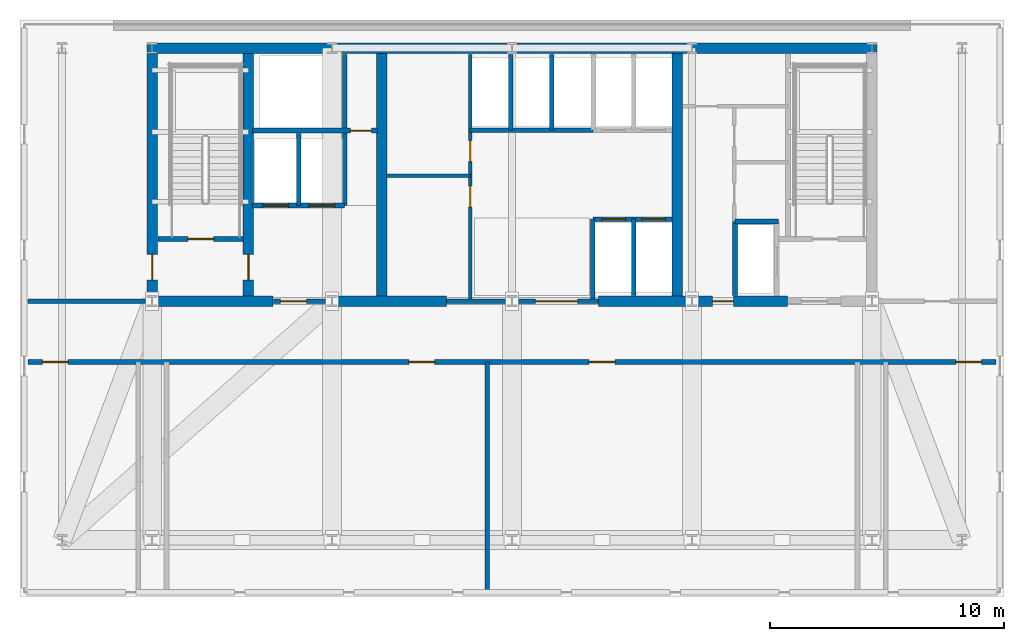
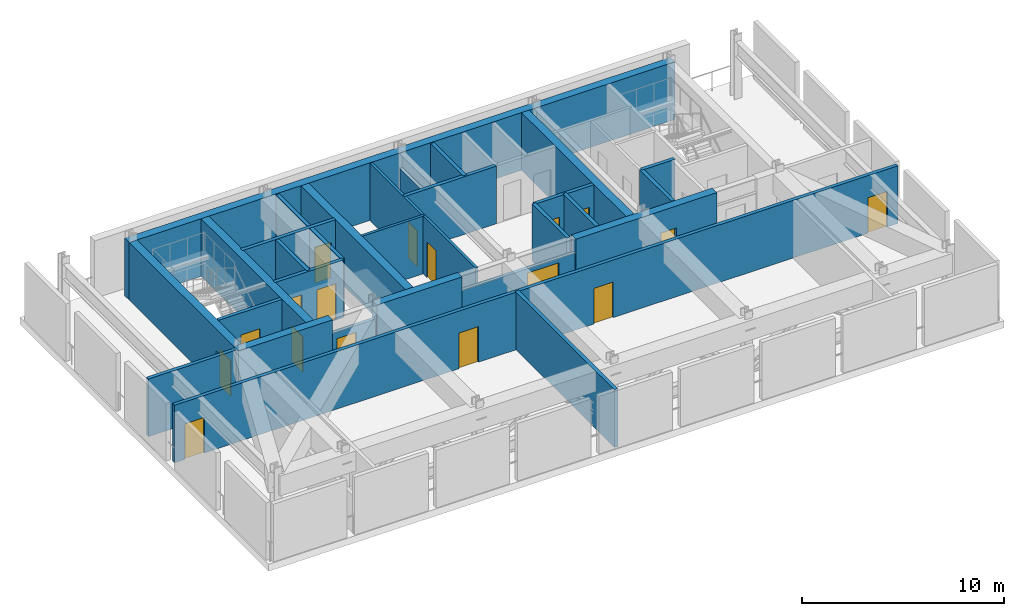
# One storey, part 2 of 7: 28 walls, 17 doors, 17 openings.
"""IFC4 building model written with IfcOpenShell, lengths in metres."""

import ifcopenshell
import ifcopenshell.guid

model = None  # the IFC model being written
_history = None  # IfcOwnerHistory: only IFC2X3 demands one
_inside = {}  # id of a spatial element -> (the spatial element, [elements in it])
_under = {}  # id of a project, library or spatial element -> (it, [spatial elements below it])
_declared = {}  # id of a project -> (the project, [libraries it declares])
_typed = {}  # id of a type object -> (the type object, [elements of that type])
_made_of = {}  # id of a material, layer set ... -> (it, [elements and type objects made of it])


def new_model(schema):
    """Start an empty IFC model of exactly this schema.

    Asked for "IFC4X3", IfcOpenShell would pick the latest addendum, in which some entities
    have other attributes; the version numbers below select the first issue.
    IFC2X3 requires an IfcOwnerHistory on every rooted entity: one is made here for all.
    """
    global model, _history
    if schema == "IFC4X3":
        model = ifcopenshell.file(schema_version=(4, 3, 0, 0))
    else:
        model = ifcopenshell.file(schema=schema)
    _inside.clear()
    _under.clear()
    _declared.clear()
    _typed.clear()
    _made_of.clear()
    _history = None
    if model.schema == "IFC2X3":
        org = make("IfcOrganization", Name="unknown")
        user = make(
            "IfcPersonAndOrganization",
            ThePerson=make("IfcPerson", FamilyName="unknown"),
            TheOrganization=org,
        )
        app = make(
            "IfcApplication",
            ApplicationDeveloper=org,
            Version="unknown",
            ApplicationFullName="unknown",
            ApplicationIdentifier="unknown",
        )
        _history = make(
            "IfcOwnerHistory",
            OwningUser=user,
            OwningApplication=app,
            ChangeAction="ADDED",
            CreationDate=0,
        )
    return model


def make(cls, **values):
    """One entity of the class cls with the attributes given. An attribute that is None is left unset."""
    return model.create_entity(
        cls, **{name: value for name, value in values.items() if value is not None}
    )


def rooted(cls, **values):
    """An entity with a GlobalId (a new one), such as an element, a storey or a relation."""
    return make(cls, GlobalId=ifcopenshell.guid.new(), OwnerHistory=_history, **values)


def si_unit(unit_type, name, prefix=None):
    """IfcSIUnit, for example si_unit("LENGTHUNIT", "METRE", prefix="MILLI")."""
    return make("IfcSIUnit", UnitType=unit_type, Prefix=prefix, Name=name)


def assignment(units):
    """IfcUnitAssignment: the units of a project."""
    return None if units is None else make("IfcUnitAssignment", Units=units)


def point(xyz):
    """IfcCartesianPoint."""
    return None if xyz is None else make("IfcCartesianPoint", Coordinates=xyz)


def direction(xyz):
    """IfcDirection."""
    return None if xyz is None else make("IfcDirection", DirectionRatios=xyz)


def frame(location, z_axis=None, x_axis=None):
    """IfcAxis2Placement3D, a coordinate frame: its origin and axes. An axis left out is left unset."""
    return make(
        "IfcAxis2Placement3D",
        Location=point(location),
        Axis=direction(z_axis),
        RefDirection=direction(x_axis),
    )


def frame_2d(location, x_axis=None):
    """IfcAxis2Placement2D, a coordinate frame in the plane: its origin and x axis."""
    return make(
        "IfcAxis2Placement2D", Location=point(location), RefDirection=direction(x_axis)
    )


def origin():
    """The frame at (0, 0, 0) with its axes left unset."""
    return frame((0.0, 0.0, 0.0))


def place(relative_to, where):
    """IfcLocalPlacement: puts the frame where relative to a parent placement (None: the world)."""
    return make(
        "IfcLocalPlacement", PlacementRelTo=relative_to, RelativePlacement=where
    )


def context(
    kind, dimensions, precision=None, world=None, true_north=None, identifier=None
):
    """IfcGeometricRepresentationContext, for example the 3D "Model" context."""
    return make(
        "IfcGeometricRepresentationContext",
        ContextIdentifier=identifier,
        ContextType=kind,
        CoordinateSpaceDimension=dimensions,
        Precision=precision,
        WorldCoordinateSystem=world,
        TrueNorth=true_north,
    )


def subcontext(parent, identifier, kind, view, scale=None):
    """IfcGeometricRepresentationSubContext, for example "Body" below "Model"."""
    return make(
        "IfcGeometricRepresentationSubContext",
        ContextIdentifier=identifier,
        ContextType=kind,
        ParentContext=parent,
        TargetScale=scale,
        TargetView=view,
    )


def project(units=None, contexts=None):
    """IfcProject with its units and contexts."""
    return rooted(
        "IfcProject",
        Name="project",
        RepresentationContexts=contexts,
        UnitsInContext=assignment(units),
    )


def spatial(cls, under=None, at=None, **own):
    """A site, building, storey or space (cls), placed at a placement, below another one or the project."""
    s = rooted(cls, ObjectPlacement=at, **own)
    if under is not None:
        _under.setdefault(under.id(), (under, []))[1].append(s)
    return s


def profile(cls, at=None, kind="AREA", **sizes):
    """A parametric profile (cls). Its sizes go by their IFC names, for example OverallWidth=200.0."""
    return make(cls, ProfileType=kind, Position=at, **sizes)


def rectangle(**sizes):
    """IfcRectangleProfileDef."""
    return profile("IfcRectangleProfileDef", **sizes)


def extrude(swept, where, along, depth):
    """IfcExtrudedAreaSolid: the profile swept, set in the frame where, extruded along a direction by depth."""
    return make(
        "IfcExtrudedAreaSolid",
        SweptArea=swept,
        Position=where,
        ExtrudedDirection=direction(along),
        Depth=depth,
    )


def shape(context_of_items, identifier, shape_type, items):
    """IfcShapeRepresentation: the items that make up one representation, for example the "Body"."""
    return make(
        "IfcShapeRepresentation",
        ContextOfItems=context_of_items,
        RepresentationIdentifier=identifier,
        RepresentationType=shape_type,
        Items=items,
    )


def material(Name=None, Category=None):
    """IfcMaterial."""
    return make("IfcMaterial", Name=Name, Category=Category)


def layer(
    of_material, thickness, ventilated=None, Name=None, Category=None, Priority=None
):
    """IfcMaterialLayer: one layer of a wall or slab, of a material (None: an air gap)."""
    return make(
        "IfcMaterialLayer",
        Material=of_material,
        LayerThickness=thickness,
        IsVentilated=ventilated,
        Name=Name,
        Category=Category,
        Priority=Priority,
    )


def layer_set(layers, Name=None):
    """IfcMaterialLayerSet."""
    return make("IfcMaterialLayerSet", MaterialLayers=layers, LayerSetName=Name)


def made_of(thing, what):
    """Note that an element or type object is made of a material, layer set ...; save() writes the relation."""
    if what is not None:
        _made_of.setdefault(what.id(), (what, []))[1].append(thing)
    return thing


def type_object(cls, material=None, **own):
    """A type object (cls), such as IfcWallType, which elements share."""
    return made_of(rooted(cls, **own), material)


def element(
    cls,
    number,
    at=None,
    inside=None,
    cuts=None,
    type_object=None,
    material=None,
    context=None,
    identifier="Body",
    shape_type=None,
    held_by="IfcProductDefinitionShape",
    body=None,
    shapes=None,
    **own,
):
    """One element of the class cls, such as IfcWall. Its Tag is "e" and its number.

    at: its placement. inside: the storey or other place that contains it. cuts: it is an
    opening in that element (IfcRelVoidsElement). A single representation is given by context,
    identifier, shape_type and body (its items); several are given by shapes. held_by: the class
    of the entity that holds the representations. save() writes the other relations.
    """
    e = rooted(cls, Tag="e%d" % number, ObjectPlacement=at, **own)
    if body is not None:
        shapes = [shape(context, identifier, shape_type, body)]
    if shapes is not None:
        e.Representation = make(held_by, Representations=shapes)
    if inside is not None:
        _inside.setdefault(inside.id(), (inside, []))[1].append(e)
    if cuts is not None:
        rooted(
            "IfcRelVoidsElement", RelatingBuildingElement=cuts, RelatedOpeningElement=e
        )
    if type_object is not None:
        _typed.setdefault(type_object.id(), (type_object, []))[1].append(e)
    return made_of(e, material)


def fill(opening, filler):
    """IfcRelFillsElement: the door or window that sits in an opening."""
    return rooted(
        "IfcRelFillsElement",
        RelatingOpeningElement=opening,
        RelatedBuildingElement=filler,
    )


def aggregate(whole, parts):
    """IfcRelAggregates: a whole, such as a stair, and the parts it consists of."""
    return rooted("IfcRelAggregates", RelatingObject=whole, RelatedObjects=parts)


def save(model, path):
    """Write the relations noted so far, then the file.

    IfcRelAggregates (storeys below a building ...), IfcRelContainedInSpatialStructure (elements
    in a storey), IfcRelDefinesByType, IfcRelAssociatesMaterial and IfcRelDeclares: one each for
    every whole, place, type object, material and project.
    """
    for whole, parts in _under.values():
        aggregate(whole, parts)
    for where, things in _inside.values():
        rooted(
            "IfcRelContainedInSpatialStructure",
            RelatedElements=things,
            RelatingStructure=where,
        )
    for kind, things in _typed.values():
        rooted("IfcRelDefinesByType", RelatedObjects=things, RelatingType=kind)
    for what, things in _made_of.values():
        rooted("IfcRelAssociatesMaterial", RelatedObjects=things, RelatingMaterial=what)
    for by, libraries in _declared.values():
        rooted("IfcRelDeclares", RelatingContext=by, RelatedDefinitions=libraries)
    model.write(path)


model = new_model("IFC4")

# Units and contexts
model_context = context("Model", 3, precision=1e-05, world=origin(), true_north=direction((0.0, 1.0)))
body_context = subcontext(model_context, "Body", "Model", "MODEL_VIEW")
ifc_project = project(units=[si_unit("LENGTHUNIT", "METRE"), si_unit("AREAUNIT", "SQUARE_METRE"), si_unit("VOLUMEUNIT", "CUBIC_METRE"), si_unit("PLANEANGLEUNIT", "RADIAN"), si_unit("MASSUNIT", "GRAM", prefix="KILO")], contexts=[model_context])

# Site, building, storey
site_placement = place(None, origin())
site = spatial("IfcSite", under=ifc_project, at=site_placement, CompositionType="ELEMENT")
building_placement = place(site_placement, origin())
building = spatial("IfcBuilding", under=site, at=building_placement, Name="Yelkora Congress Tower", CompositionType="ELEMENT")
storey_placement = place(building_placement, frame((0.0, 0.0, 145.10009765625)))
storey = spatial("IfcBuildingStorey", under=building, at=storey_placement, Name="L39", CompositionType="ELEMENT", Elevation=145.10009765625)

# Walls
ifc_material_1 = material(Name="Concrete C60/75", Category="concrete")
ifc_layer_1 = layer(ifc_material_1, 0.449951171875)
ifc_layer_set_1 = layer_set([ifc_layer_1], Name="Concrete C60/75")
wall_type_1 = type_object("IfcWallType", Name="WALL-CORE-INT-450", PredefinedType="SHEAR", material=ifc_layer_set_1)
wall_1_placement = place(storey_placement, frame((22.81494140625, 46.199951171875, 0.0), z_axis=(0.0, 0.0, 1.0), x_axis=(1.0, 0.0, 0.0)))
element("IfcWall", 1, at=wall_1_placement, inside=storey, type_object=wall_type_1, Name="L39 Rear Core North Shear Wall", PredefinedType="SHEAR", context=body_context, shape_type="SweptSolid", body=[
    extrude(rectangle(XDim=31.170166015625, YDim=0.449951171875, at=frame_2d((15.5849609375, 0.0))), origin(), (0.0, 0.0, 1.0), 3.47998046875),
])
wall_2_placement = place(storey_placement, frame((22.81494140625, 35.39990234375, 0.0), z_axis=(0.0, 0.0, 1.0), x_axis=(1.0, 0.0, 0.0)))
element("IfcWall", 2, at=wall_2_placement, inside=storey, type_object=wall_type_1, Name="L39 Rear Core South-West Shear Wall", PredefinedType="SHEAR", context=body_context, shape_type="SweptSolid", body=[
    extrude(rectangle(XDim=5.385009765625, YDim=0.449951171875, at=frame_2d((2.6923828125, 0.0))), origin(), (0.0, 0.0, 1.0), 3.47998046875),
])
wall_3_placement = place(storey_placement, frame((30.719970703125, 35.39990234375, 0.0), z_axis=(0.0, 0.0, 1.0), x_axis=(1.0, 0.0, 0.0)))
element("IfcWall", 3, at=wall_3_placement, inside=storey, type_object=wall_type_1, Name="L39 Rear Core South-Center Shear Pier", PredefinedType="SHEAR", context=body_context, shape_type="SweptSolid", body=[
    extrude(rectangle(XDim=4.880126953125, YDim=0.449951171875, at=frame_2d((2.43994140625, 0.0))), origin(), (0.0, 0.0, 1.0), 3.47998046875),
])

# Wall, opening, door
wall_4_placement = place(storey_placement, frame((42.10009765625, 35.39990234375, 0.0), z_axis=(0.0, 0.0, 1.0), x_axis=(1.0, 0.0, 0.0)))
wall_4 = element("IfcWall", 4, at=wall_4_placement, inside=storey, type_object=wall_type_1, Name="L39 Rear Core South-East Shear Wall A", PredefinedType="SHEAR", context=body_context, shape_type="SweptSolid", body=[
    extrude(rectangle(XDim=8.0498046875, YDim=0.449951171875, at=frame_2d((4.02490234375, 0.0))), origin(), (0.0, 0.0, 1.0), 3.47998046875),
])
opening_1_placement = place(wall_4_placement, frame((4.85009765625, 0.0, 0.0)))
opening_1 = element("IfcOpeningElement", 5, at=opening_1_placement, cuts=wall_4, Name="Opening DR-090F6", PredefinedType="OPENING", context=body_context, shape_type="SweptSolid", body=[
    extrude(rectangle(XDim=0.89990234375, YDim=2.14990234375, at=frame_2d((0.449951171875, 1.074951171875))), frame((0.0, 0.23486328125, 0.0), z_axis=(0.0, -1.0, 0.0), x_axis=(1.0, 0.0, 0.0)), (0.0, 0.0, 1.0), 0.469970703125),
])
ifc_material_2 = material(Name="Painted steel riser fire door leaf", Category="steel")
door_type_1 = type_object("IfcDoorType", Name="DOOR-FD60-900", OperationType="NOTDEFINED", PredefinedType="DOOR", material=ifc_material_2)
door_1_placement = place(opening_1_placement, origin())
door_1 = element("IfcDoor", 6, at=door_1_placement, inside=storey, type_object=door_type_1, Name="L39 Core Washroom Lobby Door", OperationType="SINGLE_SWING_RIGHT", OverallHeight=2.14990234375, OverallWidth=0.89990234375, PredefinedType="DOOR", context=body_context, shape_type="SweptSolid", body=[
    extrude(rectangle(XDim=0.89990234375, YDim=2.14990234375, at=frame_2d((0.449951171875, 1.074951171875))), frame((0.0, 0.02490234375, 0.0), z_axis=(0.0, -1.0, 0.0), x_axis=(1.0, 0.0, 0.0)), (0.0, 0.0, 1.0), 0.050048828125),
])
fill(opening_1, door_1)

wall_5_placement = place(storey_placement, frame((23.0400390625, 35.625, 0.0), z_axis=(0.0, 0.0, 1.0), x_axis=(0.0, 1.0, 0.0)))
wall_5 = element("IfcWall", 7, at=wall_5_placement, inside=storey, type_object=wall_type_1, Name="L39 Rear Core Cross Shear Wall W", PredefinedType="SHEAR", context=body_context, shape_type="SweptSolid", body=[
    extrude(rectangle(XDim=10.35009765625, YDim=0.449951171875, at=frame_2d((5.175048828125, 0.0))), origin(), (0.0, 0.0, 1.0), 3.47998046875),
])
opening_2_placement = place(wall_5_placement, frame((0.675048828125, 0.0, 0.0)))
opening_2 = element("IfcOpeningElement", 8, at=opening_2_placement, cuts=wall_5, Name="Opening DR-110F9", PredefinedType="OPENING", context=body_context, shape_type="SweptSolid", body=[
    extrude(rectangle(XDim=1.10009765625, YDim=2.14990234375, at=frame_2d((0.550048828125, 1.074951171875))), frame((0.0, 0.23486328125, 0.0), z_axis=(0.0, -1.0, 0.0), x_axis=(1.0, 0.0, 0.0)), (0.0, 0.0, 1.0), 0.469970703125),
])
ifc_material_3 = material(Name="Galvanised steel fire door leaf", Category="steel")
door_type_2 = type_object("IfcDoorType", Name="DOOR-FD90-1100", OperationType="NOTDEFINED", PredefinedType="DOOR", material=ifc_material_3)
door_2_placement = place(opening_2_placement, origin())
door_2 = element("IfcDoor", 9, at=door_2_placement, inside=storey, type_object=door_type_2, Name="L39 Area of Refuge Direct Stair-Lobby Door", OperationType="SINGLE_SWING_LEFT", OverallHeight=2.14990234375, OverallWidth=1.10009765625, PredefinedType="DOOR", context=body_context, shape_type="SweptSolid", body=[
    extrude(rectangle(XDim=1.10009765625, YDim=2.14990234375, at=frame_2d((0.550048828125, 1.074951171875))), frame((0.0, 0.02490234375, 0.0), z_axis=(0.0, -1.0, 0.0), x_axis=(1.0, 0.0, 0.0)), (0.0, 0.0, 1.0), 0.050048828125),
])
fill(opening_2, door_2)

wall_6_placement = place(storey_placement, frame((27.14990234375, 35.625, 0.0), z_axis=(0.0, 0.0, 1.0), x_axis=(0.0, 1.0, 0.0)))
wall_6 = element("IfcWall", 10, at=wall_6_placement, inside=storey, type_object=wall_type_1, Name="L39 Rear Core Cross Shear Wall C1", PredefinedType="SHEAR", context=body_context, shape_type="SweptSolid", body=[
    extrude(rectangle(XDim=10.35009765625, YDim=0.449951171875, at=frame_2d((5.175048828125, 0.0))), origin(), (0.0, 0.0, 1.0), 3.47998046875),
])
opening_3_placement = place(wall_6_placement, frame((0.675048828125, 0.0, 0.0)))
opening_3 = element("IfcOpeningElement", 11, at=opening_3_placement, cuts=wall_6, Name="Opening DR-110F9", PredefinedType="OPENING", context=body_context, shape_type="SweptSolid", body=[
    extrude(rectangle(XDim=1.10009765625, YDim=2.14990234375, at=frame_2d((0.550048828125, 1.074951171875))), frame((0.0, 0.23486328125, 0.0), z_axis=(0.0, -1.0, 0.0), x_axis=(1.0, 0.0, 0.0)), (0.0, 0.0, 1.0), 0.469970703125),
])
door_3_placement = place(opening_3_placement, origin())
door_3 = element("IfcDoor", 12, at=door_3_placement, inside=storey, type_object=door_type_2, Name="L39 Firefighting Stair Transfer Door", OperationType="SINGLE_SWING_LEFT", OverallHeight=2.14990234375, OverallWidth=1.10009765625, PredefinedType="DOOR", context=body_context, shape_type="SweptSolid", body=[
    extrude(rectangle(XDim=1.10009765625, YDim=2.14990234375, at=frame_2d((0.550048828125, 1.074951171875))), frame((0.0, 0.02490234375, 0.0), z_axis=(0.0, -1.0, 0.0), x_axis=(1.0, 0.0, 0.0)), (0.0, 0.0, 1.0), 0.050048828125),
])
fill(opening_3, door_3)

# Walls
for number, where, z_axis, x_axis, name in (
    (13, (32.85009765625, 35.625, 0.0), (0.0, 0.0, 1.0), (0.0, 1.0, 0.0), "L39 Rear Core Cross Shear Wall C2"),
    (14, (45.449951171875, 35.625, 0.0), (0.0, 0.0, 1.0), (0.0, 1.0, 0.0), "L39 Rear Core Cross Shear Wall C3"),
):
    element("IfcWall", number, at=place(storey_placement, frame(where, z_axis=z_axis, x_axis=x_axis)), inside=storey, type_object=wall_type_1, Name=name, PredefinedType="SHEAR", context=body_context, shape_type="SweptSolid", body=[
        extrude(rectangle(XDim=10.35009765625, YDim=0.449951171875, at=frame_2d((5.175048828125, 0.0))), origin(), (0.0, 0.0, 1.0), 3.47998046875),
    ])
ifc_material_4 = material(Name="Twin-stud fire-rated gypsum partition", Category="gypsum")
ifc_layer_2 = layer(ifc_material_4, 0.14990234375)
ifc_layer_set_2 = layer_set([ifc_layer_2], Name="Twin-stud fire-rated gypsum partition")
wall_type_2 = type_object("IfcWallType", Name="WALL-INT-150-R60", PredefinedType="PARTITIONING", material=ifc_layer_set_2)
wall_7_placement = place(storey_placement, frame((33.050048828125, 40.75, 0.0), z_axis=(0.0, 0.0, 1.0), x_axis=(1.0, 0.0, 0.0)))
element("IfcWall", 15, at=wall_7_placement, inside=storey, type_object=wall_type_2, Name="L39 Partition Wall 11", PredefinedType="PARTITIONING", context=body_context, shape_type="SweptSolid", body=[
    extrude(rectangle(XDim=3.570068359375, YDim=0.14990234375, at=frame_2d((1.78515625, 0.0))), origin(), (0.0, 0.0, 1.0), 3.47998046875),
])

# Wall, openings, doors
wall_8_placement = place(storey_placement, frame((36.6201171875, 35.5, 0.0), z_axis=(0.0, 0.0, 1.0), x_axis=(0.0, 1.0, 0.0)))
wall_8 = element("IfcWall", 16, at=wall_8_placement, inside=storey, type_object=wall_type_2, Name="L39 Partition Wall 12", PredefinedType="PARTITIONING", context=body_context, shape_type="SweptSolid", body=[
    extrude(rectangle(XDim=10.419921875, YDim=0.14990234375, at=frame_2d((5.2099609375, 0.0))), origin(), (0.0, 0.0, 1.0), 3.47998046875),
])
opening_4_placement = place(wall_8_placement, frame((3.919921875, 0.0, 0.0)))
opening_4 = element("IfcOpeningElement", 17, at=opening_4_placement, cuts=wall_8, Name="Opening DR-090F6", PredefinedType="OPENING", context=body_context, shape_type="SweptSolid", body=[
    extrude(rectangle(XDim=0.89990234375, YDim=2.14990234375, at=frame_2d((0.449951171875, 1.074951171875))), frame((0.0, 0.0849609375, 0.0), z_axis=(0.0, -1.0, 0.0), x_axis=(1.0, 0.0, 0.0)), (0.0, 0.0, 1.0), 0.169921875),
])
opening_5_placement = place(wall_8_placement, frame((5.85009765625, 0.0, 0.0)))
opening_5 = element("IfcOpeningElement", 18, at=opening_5_placement, cuts=wall_8, Name="Opening DR-090F6", PredefinedType="OPENING", context=body_context, shape_type="SweptSolid", body=[
    extrude(rectangle(XDim=0.89990234375, YDim=2.14990234375, at=frame_2d((0.449951171875, 1.074951171875))), frame((0.0, 0.0849609375, 0.0), z_axis=(0.0, -1.0, 0.0), x_axis=(1.0, 0.0, 0.0)), (0.0, 0.0, 1.0), 0.169921875),
])
door_4_placement = place(opening_4_placement, origin())
door_4 = element("IfcDoor", 19, at=door_4_placement, inside=storey, type_object=door_type_1, Name="L39 Telecom Store Door", OperationType="SINGLE_SWING_LEFT", OverallHeight=2.14990234375, OverallWidth=0.89990234375, PredefinedType="DOOR", context=body_context, shape_type="SweptSolid", body=[
    extrude(rectangle(XDim=0.89990234375, YDim=2.14990234375, at=frame_2d((0.449951171875, 1.074951171875))), frame((0.0, 0.02490234375, 0.0), z_axis=(0.0, -1.0, 0.0), x_axis=(1.0, 0.0, 0.0)), (0.0, 0.0, 1.0), 0.050048828125),
])
fill(opening_4, door_4)
door_5_placement = place(opening_5_placement, origin())
door_5 = element("IfcDoor", 20, at=door_5_placement, inside=storey, type_object=door_type_1, Name="L39 Archive Store Door", OperationType="SINGLE_SWING_RIGHT", OverallHeight=2.14990234375, OverallWidth=0.89990234375, PredefinedType="DOOR", context=body_context, shape_type="SweptSolid", body=[
    extrude(rectangle(XDim=0.89990234375, YDim=2.14990234375, at=frame_2d((0.449951171875, 1.074951171875))), frame((0.0, 0.02490234375, 0.0), z_axis=(0.0, -1.0, 0.0), x_axis=(1.0, 0.0, 0.0)), (0.0, 0.0, 1.0), 0.050048828125),
])
fill(opening_5, door_5)

# Wall, opening, door
ifc_material_5 = material(Name="Autoclaved aerated concrete blockwork", Category="masonry")
ifc_layer_3 = layer(ifc_material_5, 0.199951171875)
ifc_layer_set_3 = layer_set([ifc_layer_3], Name="Autoclaved aerated concrete blockwork")
wall_type_3 = type_object("IfcWallType", Name="WALL-INT-200-R120", PredefinedType="PARTITIONING", material=ifc_layer_set_3)
wall_9_placement = place(storey_placement, frame((23.300048828125, 38.050048828125, 0.0), z_axis=(0.0, 0.0, 1.0), x_axis=(1.0, 0.0, 0.0)))
wall_9 = element("IfcWall", 21, at=wall_9_placement, inside=storey, type_object=wall_type_3, Name="L39 Stair ST-01 Enclosure Wall", PredefinedType="PARTITIONING", context=body_context, shape_type="SweptSolid", body=[
    extrude(rectangle(XDim=3.619873046875, YDim=0.199951171875, at=frame_2d((1.81005859375, 0.0))), origin(), (0.0, 0.0, 1.0), 3.47998046875),
])
opening_6_placement = place(wall_9_placement, frame((1.260009765625, 0.0, 0.0)))
opening_6 = element("IfcOpeningElement", 22, at=opening_6_placement, cuts=wall_9, Name="Opening DR-110F9", PredefinedType="OPENING", context=body_context, shape_type="SweptSolid", body=[
    extrude(rectangle(XDim=1.10009765625, YDim=2.14990234375, at=frame_2d((0.550048828125, 1.074951171875))), frame((0.0, 0.10986328125, 0.0), z_axis=(0.0, -1.0, 0.0), x_axis=(1.0, 0.0, 0.0)), (0.0, 0.0, 1.0), 0.219970703125),
])
door_6_placement = place(opening_6_placement, origin())
door_6 = element("IfcDoor", 23, at=door_6_placement, inside=storey, type_object=door_type_2, Name="L39 Stair ST-01 Entry Door", OperationType="SINGLE_SWING_LEFT", OverallHeight=2.14990234375, OverallWidth=1.10009765625, PredefinedType="DOOR", context=body_context, shape_type="SweptSolid", body=[
    extrude(rectangle(XDim=1.10009765625, YDim=2.14990234375, at=frame_2d((0.550048828125, 1.074951171875))), frame((0.0, 0.02490234375, 0.0), z_axis=(0.0, -1.0, 0.0), x_axis=(1.0, 0.0, 0.0)), (0.0, 0.0, 1.0), 0.050048828125),
])
fill(opening_6, door_6)

wall_10_placement = place(storey_placement, frame((28.219970703125, 35.39990234375, 0.0), z_axis=(0.0, 0.0, 1.0), x_axis=(1.0, 0.0, 0.0)))
wall_10 = element("IfcWall", 24, at=wall_10_placement, inside=storey, type_object=wall_type_3, Name="L39 Firefighting Lobby South Wall", PredefinedType="PARTITIONING", context=body_context, shape_type="SweptSolid", body=[
    extrude(rectangle(XDim=2.5, YDim=0.199951171875, at=frame_2d((1.25, 0.0))), origin(), (0.0, 0.0, 1.0), 2.56494140625),
])
opening_7_placement = place(wall_10_placement, frame((0.300048828125, 0.0, 0.0)))
opening_7 = element("IfcOpeningElement", 25, at=opening_7_placement, cuts=wall_10, Name="Opening DR-110F9", PredefinedType="OPENING", context=body_context, shape_type="SweptSolid", body=[
    extrude(rectangle(XDim=1.10009765625, YDim=2.14990234375, at=frame_2d((0.550048828125, 1.074951171875))), frame((0.0, 0.10986328125, 0.0), z_axis=(0.0, -1.0, 0.0), x_axis=(1.0, 0.0, 0.0)), (0.0, 0.0, 1.0), 0.219970703125),
])
door_7_placement = place(opening_7_placement, origin())
door_7 = element("IfcDoor", 26, at=door_7_placement, inside=storey, type_object=door_type_2, Name="L39 Firefighting Lobby Corridor Door", OperationType="SINGLE_SWING_RIGHT", OverallHeight=2.14990234375, OverallWidth=1.10009765625, PredefinedType="DOOR", context=body_context, shape_type="SweptSolid", body=[
    extrude(rectangle(XDim=1.10009765625, YDim=2.14990234375, at=frame_2d((0.550048828125, 1.074951171875))), frame((0.0, 0.02490234375, 0.0), z_axis=(0.0, -1.0, 0.0), x_axis=(1.0, 0.0, 0.0)), (0.0, 0.0, 1.0), 0.050048828125),
])
fill(opening_7, door_7)

# Wall, openings, doors
wall_11_placement = place(storey_placement, frame((27.320068359375, 39.47998046875, 0.0), z_axis=(0.0, 0.0, 1.0), x_axis=(1.0, 0.0, 0.0)))
wall_11 = element("IfcWall", 27, at=wall_11_placement, inside=storey, type_object=wall_type_3, Name="L39 Firefighting Lift Front Wall", PredefinedType="PARTITIONING", context=body_context, shape_type="SweptSolid", body=[
    extrude(rectangle(XDim=3.93994140625, YDim=0.199951171875, at=frame_2d((1.969970703125, 0.0))), origin(), (0.0, 0.0, 1.0), 3.47998046875),
])
opening_8_placement = place(wall_11_placement, frame((0.449951171875, 0.0, 0.0)))
opening_8 = element("IfcOpeningElement", 28, at=opening_8_placement, cuts=wall_11, Name="Opening LD-FF11", PredefinedType="OPENING", context=body_context, shape_type="SweptSolid", body=[
    extrude(rectangle(XDim=1.10009765625, YDim=2.199951171875, at=frame_2d((0.550048828125, 1.10009765625))), frame((0.0, 0.10986328125, 0.0), z_axis=(0.0, -1.0, 0.0), x_axis=(1.0, 0.0, 0.0)), (0.0, 0.0, 1.0), 0.219970703125),
])
opening_9_placement = place(wall_11_placement, frame((2.409912109375, 0.0, 0.0)))
opening_9 = element("IfcOpeningElement", 29, at=opening_9_placement, cuts=wall_11, Name="Opening LD-FF11", PredefinedType="OPENING", context=body_context, shape_type="SweptSolid", body=[
    extrude(rectangle(XDim=1.10009765625, YDim=2.199951171875, at=frame_2d((0.550048828125, 1.10009765625))), frame((0.0, 0.10986328125, 0.0), z_axis=(0.0, -1.0, 0.0), x_axis=(1.0, 0.0, 0.0)), (0.0, 0.0, 1.0), 0.219970703125),
])
ifc_material_6 = material(Name="Brushed stainless steel 316L landing door", Category="steel")
door_type_3 = type_object("IfcDoorType", Name="DOOR-LIFT-FF-1100", OperationType="DOUBLE_DOOR_SLIDING", PredefinedType="DOOR", material=ifc_material_6)
door_8_placement = place(opening_8_placement, origin())
door_8 = element("IfcDoor", 30, at=door_8_placement, inside=storey, type_object=door_type_3, Name="Lift Landing Door LF-FF1 L39", OperationType="DOUBLE_DOOR_SLIDING", OverallHeight=2.199951171875, OverallWidth=1.10009765625, PredefinedType="DOOR", context=body_context, shape_type="SweptSolid", body=[
    extrude(rectangle(XDim=1.10009765625, YDim=2.199951171875, at=frame_2d((0.550048828125, 1.10009765625))), frame((0.0, 0.02490234375, 0.0), z_axis=(0.0, -1.0, 0.0), x_axis=(1.0, 0.0, 0.0)), (0.0, 0.0, 1.0), 0.050048828125),
])
fill(opening_8, door_8)
door_9_placement = place(opening_9_placement, origin())
door_9 = element("IfcDoor", 31, at=door_9_placement, inside=storey, type_object=door_type_3, Name="Lift Landing Door LF-FF2 L39", OperationType="DOUBLE_DOOR_SLIDING", OverallHeight=2.199951171875, OverallWidth=1.10009765625, PredefinedType="DOOR", context=body_context, shape_type="SweptSolid", body=[
    extrude(rectangle(XDim=1.10009765625, YDim=2.199951171875, at=frame_2d((0.550048828125, 1.10009765625))), frame((0.0, 0.02490234375, 0.0), z_axis=(0.0, -1.0, 0.0), x_axis=(1.0, 0.0, 0.0)), (0.0, 0.0, 1.0), 0.050048828125),
])
fill(opening_9, door_9)

# Walls
wall_12_placement = place(storey_placement, frame((29.300048828125, 39.47998046875, 0.0), z_axis=(0.0, 0.0, 1.0), x_axis=(0.0, 1.0, 0.0)))
element("IfcWall", 32, at=wall_12_placement, inside=storey, type_object=wall_type_3, Name="L39 Partition Wall 4", PredefinedType="PARTITIONING", context=body_context, shape_type="SweptSolid", body=[
    extrude(rectangle(XDim=3.070068359375, YDim=0.199951171875, at=frame_2d((1.53515625, 0.0))), origin(), (0.0, 0.0, 1.0), 3.47998046875),
])
wall_13_placement = place(storey_placement, frame((31.260009765625, 39.47998046875, 0.0), z_axis=(0.0, 0.0, 1.0), x_axis=(0.0, 1.0, 0.0)))
element("IfcWall", 33, at=wall_13_placement, inside=storey, type_object=wall_type_3, Name="L39 Partition Wall 5", PredefinedType="PARTITIONING", context=body_context, shape_type="SweptSolid", body=[
    extrude(rectangle(XDim=6.43994140625, YDim=0.199951171875, at=frame_2d((3.219970703125, 0.0))), origin(), (0.0, 0.0, 1.0), 3.47998046875),
])

# Wall, opening, door
wall_14_placement = place(storey_placement, frame((27.320068359375, 42.679931640625, 0.0), z_axis=(0.0, 0.0, 1.0), x_axis=(1.0, 0.0, 0.0)))
wall_14 = element("IfcWall", 34, at=wall_14_placement, inside=storey, type_object=wall_type_3, Name="L39 Smoke Riser South Wall", PredefinedType="PARTITIONING", context=body_context, shape_type="SweptSolid", body=[
    extrude(rectangle(XDim=5.329833984375, YDim=0.199951171875, at=frame_2d((2.6650390625, 0.0))), origin(), (0.0, 0.0, 1.0), 3.47998046875),
])
opening_10_placement = place(wall_14_placement, frame((4.179931640625, 0.0, 0.0)))
opening_10 = element("IfcOpeningElement", 35, at=opening_10_placement, cuts=wall_14, Name="Opening DR-090F6", PredefinedType="OPENING", context=body_context, shape_type="SweptSolid", body=[
    extrude(rectangle(XDim=0.89990234375, YDim=2.14990234375, at=frame_2d((0.449951171875, 1.074951171875))), frame((0.0, 0.10986328125, 0.0), z_axis=(0.0, -1.0, 0.0), x_axis=(1.0, 0.0, 0.0)), (0.0, 0.0, 1.0), 0.219970703125),
])
door_10_placement = place(opening_10_placement, origin())
door_10 = element("IfcDoor", 36, at=door_10_placement, inside=storey, type_object=door_type_1, Name="L39 Riser Access Door", OperationType="SINGLE_SWING_LEFT", OverallHeight=2.14990234375, OverallWidth=0.89990234375, PredefinedType="DOOR", context=body_context, shape_type="SweptSolid", body=[
    extrude(rectangle(XDim=0.89990234375, YDim=2.14990234375, at=frame_2d((0.449951171875, 1.074951171875))), frame((0.0, 0.02490234375, 0.0), z_axis=(0.0, -1.0, 0.0), x_axis=(1.0, 0.0, 0.0)), (0.0, 0.0, 1.0), 0.050048828125),
])
fill(opening_10, door_10)

wall_15_placement = place(storey_placement, frame((35.60009765625, 35.39990234375, 0.0), z_axis=(0.0, 0.0, 1.0), x_axis=(1.0, 0.0, 0.0)))
wall_15 = element("IfcWall", 37, at=wall_15_placement, inside=storey, type_object=wall_type_3, Name="L39 Main Lift Lobby South Portal Wall", PredefinedType="PARTITIONING", context=body_context, shape_type="SweptSolid", body=[
    extrude(rectangle(XDim=6.5, YDim=0.199951171875, at=frame_2d((3.25, 0.0))), origin(), (0.0, 0.0, 1.0), 2.56494140625),
])
opening_11_placement = place(wall_15_placement, frame((3.800048828125, 0.0, 0.0)))
opening_11 = element("IfcOpeningElement", 38, at=opening_11_placement, cuts=wall_15, Name="Opening DR-180D", PredefinedType="OPENING", context=body_context, shape_type="SweptSolid", body=[
    extrude(rectangle(XDim=1.800048828125, YDim=2.300048828125, at=frame_2d((0.89990234375, 1.14990234375))), frame((0.0, 0.10986328125, 0.0), z_axis=(0.0, -1.0, 0.0), x_axis=(1.0, 0.0, 0.0)), (0.0, 0.0, 1.0), 0.219970703125),
])
ifc_material_7 = material(Name="Acoustic double congress hall doors", Category="wood")
door_type_4 = type_object("IfcDoorType", Name="DOOR-DBL-1800", OperationType="DOUBLE_DOOR_SINGLE_SWING", PredefinedType="DOOR", material=ifc_material_7)
door_11_placement = place(opening_11_placement, origin())
door_11 = element("IfcDoor", 39, at=door_11_placement, inside=storey, type_object=door_type_4, Name="L39 Main Lift Lobby Portal Door", OperationType="DOUBLE_DOOR_SINGLE_SWING", OverallHeight=2.300048828125, OverallWidth=1.800048828125, PredefinedType="DOOR", context=body_context, shape_type="SweptSolid", body=[
    extrude(rectangle(XDim=1.800048828125, YDim=2.300048828125, at=frame_2d((0.89990234375, 1.14990234375))), frame((0.0, 0.02490234375, 0.0), z_axis=(0.0, -1.0, 0.0), x_axis=(1.0, 0.0, 0.0)), (0.0, 0.0, 1.0), 0.050048828125),
])
fill(opening_11, door_11)

# Walls
wall_16_placement = place(storey_placement, frame((36.60009765625, 42.699951171875, 0.0), z_axis=(0.0, 0.0, 1.0), x_axis=(1.0, 0.0, 0.0)))
element("IfcWall", 40, at=wall_16_placement, inside=storey, type_object=wall_type_3, Name="L39 Partition Wall 8", PredefinedType="PARTITIONING", context=body_context, shape_type="SweptSolid", body=[
    extrude(rectangle(XDim=5.25, YDim=0.199951171875, at=frame_2d((2.625, 0.0))), origin(), (0.0, 0.0, 1.0), 3.47998046875),
])
wall_17_placement = place(storey_placement, frame((38.35009765625, 42.699951171875, 0.0), z_axis=(0.0, 0.0, 1.0), x_axis=(0.0, 1.0, 0.0)))
element("IfcWall", 41, at=wall_17_placement, inside=storey, type_object=wall_type_3, Name="L39 Partition Wall 9", PredefinedType="PARTITIONING", context=body_context, shape_type="SweptSolid", body=[
    extrude(rectangle(XDim=3.219970703125, YDim=0.199951171875, at=frame_2d((1.60986328125, 0.0))), origin(), (0.0, 0.0, 1.0), 2.56494140625),
])
wall_18_placement = place(storey_placement, frame((40.10009765625, 42.699951171875, 0.0), z_axis=(0.0, 0.0, 1.0), x_axis=(0.0, 1.0, 0.0)))
element("IfcWall", 42, at=wall_18_placement, inside=storey, type_object=wall_type_3, Name="L39 Partition Wall 10", PredefinedType="PARTITIONING", context=body_context, shape_type="SweptSolid", body=[
    extrude(rectangle(XDim=3.219970703125, YDim=0.199951171875, at=frame_2d((1.60986328125, 0.0))), origin(), (0.0, 0.0, 1.0), 3.47998046875),
])

# Wall, openings, doors
wall_19_placement = place(storey_placement, frame((41.85009765625, 38.89990234375, 0.0), z_axis=(0.0, 0.0, 1.0), x_axis=(1.0, 0.0, 0.0)))
wall_19 = element("IfcWall", 43, at=wall_19_placement, inside=storey, type_object=wall_type_3, Name="L39 Partition Wall 13", PredefinedType="PARTITIONING", context=body_context, shape_type="SweptSolid", body=[
    extrude(rectangle(XDim=3.369873046875, YDim=0.199951171875, at=frame_2d((1.68505859375, 0.0))), origin(), (0.0, 0.0, 1.0), 3.47998046875),
])
opening_12_placement = place(wall_19_placement, frame((0.39990234375, 0.0, 0.0)))
opening_12 = element("IfcOpeningElement", 44, at=opening_12_placement, cuts=wall_19, Name="Opening LD-PS10", PredefinedType="OPENING", context=body_context, shape_type="SweptSolid", body=[
    extrude(rectangle(XDim=1.0, YDim=2.199951171875, at=frame_2d((0.5, 1.10009765625))), frame((0.0, 0.10986328125, 0.0), z_axis=(0.0, -1.0, 0.0), x_axis=(1.0, 0.0, 0.0)), (0.0, 0.0, 1.0), 0.219970703125),
])
opening_13_placement = place(wall_19_placement, frame((2.10009765625, 0.0, 0.0)))
opening_13 = element("IfcOpeningElement", 45, at=opening_13_placement, cuts=wall_19, Name="Opening LD-PS10", PredefinedType="OPENING", context=body_context, shape_type="SweptSolid", body=[
    extrude(rectangle(XDim=1.0, YDim=2.199951171875, at=frame_2d((0.5, 1.10009765625))), frame((0.0, 0.10986328125, 0.0), z_axis=(0.0, -1.0, 0.0), x_axis=(1.0, 0.0, 0.0)), (0.0, 0.0, 1.0), 0.219970703125),
])
ifc_material_8 = material(Name="Champagne stainless steel landing door", Category="steel")
door_type_5 = type_object("IfcDoorType", Name="DOOR-LIFT-PAS-1000", OperationType="DOUBLE_DOOR_SLIDING", PredefinedType="DOOR", material=ifc_material_8)
door_12_placement = place(opening_12_placement, origin())
door_12 = element("IfcDoor", 46, at=door_12_placement, inside=storey, type_object=door_type_5, Name="Lift Landing Door LF-P5 L39", OperationType="DOUBLE_DOOR_SLIDING", OverallHeight=2.199951171875, OverallWidth=1.0, PredefinedType="DOOR", context=body_context, shape_type="SweptSolid", body=[
    extrude(rectangle(XDim=1.0, YDim=2.199951171875, at=frame_2d((0.5, 1.10009765625))), frame((0.0, 0.02490234375, 0.0), z_axis=(0.0, -1.0, 0.0), x_axis=(1.0, 0.0, 0.0)), (0.0, 0.0, 1.0), 0.050048828125),
])
fill(opening_12, door_12)
door_13_placement = place(opening_13_placement, origin())
door_13 = element("IfcDoor", 47, at=door_13_placement, inside=storey, type_object=door_type_5, Name="Lift Landing Door LF-P6 L39", OperationType="DOUBLE_DOOR_SLIDING", OverallHeight=2.199951171875, OverallWidth=1.0, PredefinedType="DOOR", context=body_context, shape_type="SweptSolid", body=[
    extrude(rectangle(XDim=1.0, YDim=2.199951171875, at=frame_2d((0.5, 1.10009765625))), frame((0.0, 0.02490234375, 0.0), z_axis=(0.0, -1.0, 0.0), x_axis=(1.0, 0.0, 0.0)), (0.0, 0.0, 1.0), 0.050048828125),
])
fill(opening_13, door_13)

# Walls
wall_20_placement = place(storey_placement, frame((43.60009765625, 35.64990234375, 0.0), z_axis=(0.0, 0.0, 1.0), x_axis=(0.0, 1.0, 0.0)))
element("IfcWall", 48, at=wall_20_placement, inside=storey, type_object=wall_type_3, Name="L39 Partition Wall 15", PredefinedType="PARTITIONING", context=body_context, shape_type="SweptSolid", body=[
    extrude(rectangle(XDim=3.25, YDim=0.199951171875, at=frame_2d((1.625, 0.0))), origin(), (0.0, 0.0, 1.0), 3.47998046875),
])
wall_21_placement = place(storey_placement, frame((41.85009765625, 35.5, 0.0), z_axis=(0.0, 0.0, 1.0), x_axis=(0.0, 1.0, 0.0)))
element("IfcWall", 49, at=wall_21_placement, inside=storey, type_object=wall_type_3, Name="L39 Partition Wall 17", PredefinedType="PARTITIONING", context=body_context, shape_type="SweptSolid", body=[
    extrude(rectangle(XDim=3.39990234375, YDim=0.199951171875, at=frame_2d((1.699951171875, 0.0))), origin(), (0.0, 0.0, 1.0), 3.47998046875),
])
wall_22_placement = place(storey_placement, frame((47.919921875, 35.64990234375, 0.0), z_axis=(0.0, 0.0, 1.0), x_axis=(0.0, 1.0, 0.0)))
element("IfcWall", 50, at=wall_22_placement, inside=storey, type_object=wall_type_3, Name="L39 Partition Wall 22", PredefinedType="PARTITIONING", context=body_context, shape_type="SweptSolid", body=[
    extrude(rectangle(XDim=3.150146484375, YDim=0.199951171875, at=frame_2d((1.5751953125, 0.0))), origin(), (0.0, 0.0, 1.0), 3.47998046875),
])
wall_23_placement = place(storey_placement, frame((47.919921875, 38.800048828125, 0.0), z_axis=(0.0, 0.0, 1.0), x_axis=(1.0, 0.0, 0.0)))
element("IfcWall", 51, at=wall_23_placement, inside=storey, type_object=wall_type_3, Name="L39 Partition Wall 23", PredefinedType="PARTITIONING", context=body_context, shape_type="SweptSolid", body=[
    extrude(rectangle(XDim=1.860107421875, YDim=0.199951171875, at=frame_2d((0.93017578125, 0.0))), origin(), (0.0, 0.0, 1.0), 3.47998046875),
])
wall_24_placement = place(storey_placement, frame((17.75, 35.39990234375, 0.0), z_axis=(0.0, 0.0, 1.0), x_axis=(1.0, 0.0, 0.0)))
element("IfcWall", 52, at=wall_24_placement, inside=storey, type_object=wall_type_3, Name="L39 Partition Wall 27", PredefinedType="PARTITIONING", context=body_context, shape_type="SweptSolid", body=[
    extrude(rectangle(XDim=5.0, YDim=0.199951171875, at=frame_2d((2.5, 0.0))), origin(), (0.0, 0.0, 1.0), 3.47998046875),
])
wall_25_placement = place(storey_placement, frame((37.35009765625, 22.97998046875, 0.0), z_axis=(0.0, 0.0, 1.0), x_axis=(0.0, 1.0, 0.0)))
element("IfcWall", 53, at=wall_25_placement, inside=storey, type_object=wall_type_3, Name="L39 Partition Wall 31", PredefinedType="PARTITIONING", context=body_context, shape_type="SweptSolid", body=[
    extrude(rectangle(XDim=9.820068359375, YDim=0.199951171875, at=frame_2d((4.91015625, 0.0))), origin(), (0.0, 0.0, 1.0), 3.47998046875),
])

# Wall, openings, doors
wall_26_placement = place(storey_placement, frame((17.75, 32.800048828125, 0.0), z_axis=(0.0, 0.0, 1.0), x_axis=(1.0, 0.0, 0.0)))
wall_26 = element("IfcWall", 54, at=wall_26_placement, inside=storey, type_object=wall_type_3, Name="L39 Partition Wall 34", PredefinedType="PARTITIONING", context=body_context, shape_type="SweptSolid", body=[
    extrude(rectangle(XDim=41.300048828125, YDim=0.199951171875, at=frame_2d((20.64990234375, 0.0))), origin(), (0.0, 0.0, 1.0), 3.47998046875),
])
opening_14_placement = place(wall_26_placement, frame((0.60009765625, 0.0, 0.0)))
opening_14 = element("IfcOpeningElement", 55, at=opening_14_placement, cuts=wall_26, Name="Opening DR-110F9", PredefinedType="OPENING", context=body_context, shape_type="SweptSolid", body=[
    extrude(rectangle(XDim=1.10009765625, YDim=2.14990234375, at=frame_2d((0.550048828125, 1.074951171875))), frame((0.0, 0.10986328125, 0.0), z_axis=(0.0, -1.0, 0.0), x_axis=(1.0, 0.0, 0.0)), (0.0, 0.0, 1.0), 0.219970703125),
])
opening_15_placement = place(wall_26_placement, frame((16.243896484375, 0.0, 0.0)))
opening_15 = element("IfcOpeningElement", 56, at=opening_15_placement, cuts=wall_26, Name="Opening DR-110F9", PredefinedType="OPENING", context=body_context, shape_type="SweptSolid", body=[
    extrude(rectangle(XDim=1.10009765625, YDim=2.14990234375, at=frame_2d((0.550048828125, 1.074951171875))), frame((0.0, 0.10986328125, 0.0), z_axis=(0.0, -1.0, 0.0), x_axis=(1.0, 0.0, 0.0)), (0.0, 0.0, 1.0), 0.219970703125),
])
opening_16_placement = place(wall_26_placement, frame((23.945068359375, 0.0, 0.0)))
opening_16 = element("IfcOpeningElement", 57, at=opening_16_placement, cuts=wall_26, Name="Opening DR-110F9", PredefinedType="OPENING", context=body_context, shape_type="SweptSolid", body=[
    extrude(rectangle(XDim=1.10009765625, YDim=2.14990234375, at=frame_2d((0.550048828125, 1.074951171875))), frame((0.0, 0.10986328125, 0.0), z_axis=(0.0, -1.0, 0.0), x_axis=(1.0, 0.0, 0.0)), (0.0, 0.0, 1.0), 0.219970703125),
])
opening_17_placement = place(wall_26_placement, frame((39.60009765625, 0.0, 0.0)))
opening_17 = element("IfcOpeningElement", 58, at=opening_17_placement, cuts=wall_26, Name="Opening DR-110F9", PredefinedType="OPENING", context=body_context, shape_type="SweptSolid", body=[
    extrude(rectangle(XDim=1.10009765625, YDim=2.14990234375, at=frame_2d((0.550048828125, 1.074951171875))), frame((0.0, 0.10986328125, 0.0), z_axis=(0.0, -1.0, 0.0), x_axis=(1.0, 0.0, 0.0)), (0.0, 0.0, 1.0), 0.219970703125),
])
door_14_placement = place(opening_14_placement, origin())
door_14 = element("IfcDoor", 59, at=door_14_placement, inside=storey, type_object=door_type_2, Name="L39 Interior Door 20", OperationType="SINGLE_SWING_RIGHT", OverallHeight=2.14990234375, OverallWidth=1.10009765625, PredefinedType="DOOR", context=body_context, shape_type="SweptSolid", body=[
    extrude(rectangle(XDim=1.10009765625, YDim=2.14990234375, at=frame_2d((0.550048828125, 1.074951171875))), frame((0.0, 0.02490234375, 0.0), z_axis=(0.0, -1.0, 0.0), x_axis=(1.0, 0.0, 0.0)), (0.0, 0.0, 1.0), 0.050048828125),
])
fill(opening_14, door_14)
door_15_placement = place(opening_15_placement, origin())
door_15 = element("IfcDoor", 60, at=door_15_placement, inside=storey, type_object=door_type_2, Name="L39 Interior Door 21", OperationType="SINGLE_SWING_LEFT", OverallHeight=2.14990234375, OverallWidth=1.10009765625, PredefinedType="DOOR", context=body_context, shape_type="SweptSolid", body=[
    extrude(rectangle(XDim=1.10009765625, YDim=2.14990234375, at=frame_2d((0.550048828125, 1.074951171875))), frame((0.0, 0.02490234375, 0.0), z_axis=(0.0, -1.0, 0.0), x_axis=(1.0, 0.0, 0.0)), (0.0, 0.0, 1.0), 0.050048828125),
])
fill(opening_15, door_15)
door_16_placement = place(opening_16_placement, origin())
door_16 = element("IfcDoor", 61, at=door_16_placement, inside=storey, type_object=door_type_2, Name="L39 Interior Door 22", OperationType="SINGLE_SWING_RIGHT", OverallHeight=2.14990234375, OverallWidth=1.10009765625, PredefinedType="DOOR", context=body_context, shape_type="SweptSolid", body=[
    extrude(rectangle(XDim=1.10009765625, YDim=2.14990234375, at=frame_2d((0.550048828125, 1.074951171875))), frame((0.0, 0.02490234375, 0.0), z_axis=(0.0, -1.0, 0.0), x_axis=(1.0, 0.0, 0.0)), (0.0, 0.0, 1.0), 0.050048828125),
])
fill(opening_16, door_16)
door_17_placement = place(opening_17_placement, origin())
door_17 = element("IfcDoor", 62, at=door_17_placement, inside=storey, type_object=door_type_2, Name="L39 Interior Door 23", OperationType="SINGLE_SWING_LEFT", OverallHeight=2.14990234375, OverallWidth=1.10009765625, PredefinedType="DOOR", context=body_context, shape_type="SweptSolid", body=[
    extrude(rectangle(XDim=1.10009765625, YDim=2.14990234375, at=frame_2d((0.550048828125, 1.074951171875))), frame((0.0, 0.02490234375, 0.0), z_axis=(0.0, -1.0, 0.0), x_axis=(1.0, 0.0, 0.0)), (0.0, 0.0, 1.0), 0.050048828125),
])
fill(opening_17, door_17)

save(model, "model.ifc")
